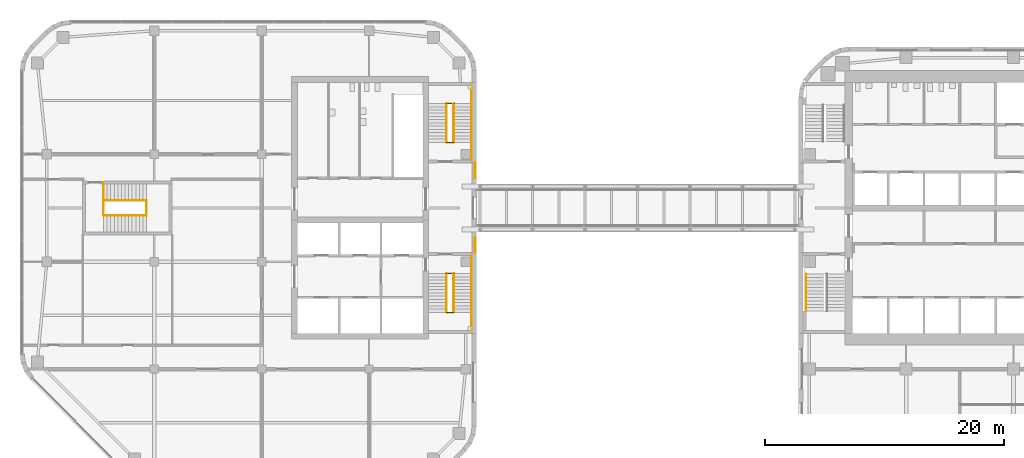
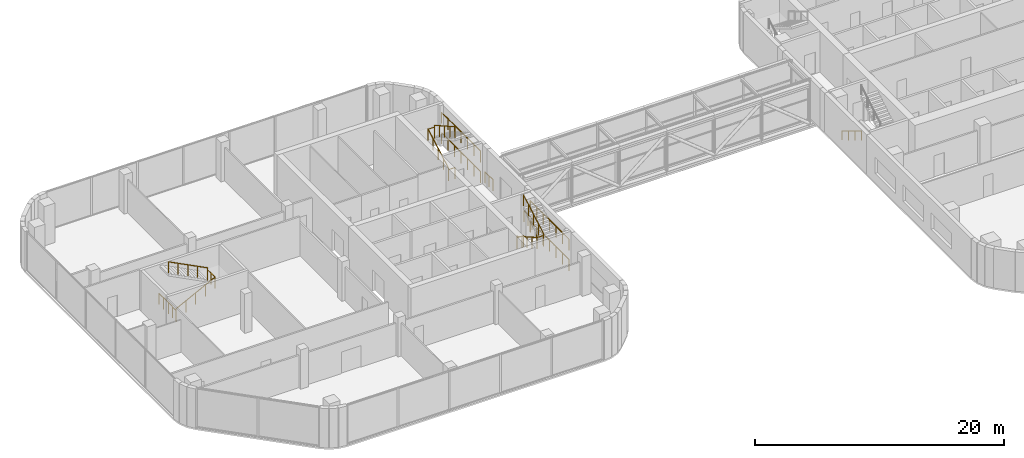
# One storey, part 22 of 24: 20 railings, 1 element without a shape of its own.
"""IFC4 building model written with IfcOpenShell, lengths in metres."""

from ifc_helpers import new_model, si_unit, direction, frame, origin, origin_2d, place, context, subcontext, project, spatial, circle, extrude, material, type_object, element, aggregate, save


model = new_model("IFC4")

# Units and contexts
model_context = context("Model", 3, precision=1e-05, world=origin(), true_north=direction((0.0, 1.0)))
body_context = subcontext(model_context, "Body", "Model", "MODEL_VIEW")
ifc_project = project(units=[si_unit("LENGTHUNIT", "METRE"), si_unit("AREAUNIT", "SQUARE_METRE"), si_unit("VOLUMEUNIT", "CUBIC_METRE"), si_unit("PLANEANGLEUNIT", "RADIAN"), si_unit("MASSUNIT", "GRAM", prefix="KILO")], contexts=[model_context])

# Site, building, storey
site_placement = place(None, origin())
site = spatial("IfcSite", under=ifc_project, at=site_placement, CompositionType="ELEMENT")
building_placement = place(site_placement, origin())
building = spatial("IfcBuilding", under=site, at=building_placement, Name="Cinnabar Reach Civic Tower", CompositionType="ELEMENT")
storey_placement = place(building_placement, frame((0.0, 0.0, 71.0)))
storey = spatial("IfcBuildingStorey", under=building, at=storey_placement, Name="L16", CompositionType="ELEMENT", Elevation=71.0)

# Stair, railing
ifc_material_1 = material(Name="Concrete C40/50", Category="concrete")
stair_type = type_object("IfcStairType", Name="T1 Exit stair, half-turn", PredefinedType="HALF_TURN_STAIR", material=ifc_material_1)
stair_placement = place(storey_placement, origin())
stair = element("IfcStair", 1, at=stair_placement, inside=storey, type_object=stair_type, Name="Stair T1-S1", PredefinedType="HALF_TURN_STAIR")
ifc_material_2 = material(Name="Stainless steel tube", Category="steel")
railing_type_1 = type_object("IfcRailingType", Name="T1 Stair handrail, stainless tube 48", PredefinedType="HANDRAIL", material=ifc_material_2)
railing_1_placement = place(storey_placement, frame((0.6, 25.95, 0.1667)))
railing_1 = element("IfcRailing", 2, at=railing_1_placement, type_object=railing_type_1, Name="T1-S1 handrail 1", PredefinedType="HANDRAIL", context=body_context, shape_type="SweptSolid", body=[
    extrude(circle(Radius=0.024, at=origin_2d()), frame((0.0, 0.0, 0.876), z_axis=(0.0, -0.859296971757, 0.511476992962), x_axis=(1.0, 0.0, 0.0)), (0.0, 0.0, 1.0), 3.5843),
    extrude(circle(Radius=0.021, at=origin_2d()), origin(), (0.0, 0.0, 1.0), 0.852),
    extrude(circle(Radius=0.021, at=origin_2d()), frame((0.0, -1.0267, 0.6111)), (0.0, 0.0, 1.0), 0.852),
    extrude(circle(Radius=0.021, at=origin_2d()), frame((0.0, -2.0533, 1.2222)), (0.0, 0.0, 1.0), 0.852),
    extrude(circle(Radius=0.021, at=origin_2d()), frame((0.0, -3.08, 1.8333)), (0.0, 0.0, 1.0), 0.852),
])
aggregate(stair, [railing_1])

# Railings
ifc_material_3 = material(Name="Stainless steel", Category="steel")
railing_type_2 = type_object("IfcRailingType", Name="T2 Stair guard 1100", PredefinedType="GUARDRAIL", material=ifc_material_3)
for number, where, name in (
    (3, (-27.1, 27.75, 0.0), "Corridor end guard"),
    (4, (-27.1, 34.0, 0.0), "Corridor end guard"),
):
    element("IfcRailing", number, at=place(storey_placement, frame(where)), inside=storey, type_object=railing_type_2, Name=name, PredefinedType="GUARDRAIL", context=body_context, shape_type="SweptSolid", body=[
        extrude(circle(Radius=0.024, at=origin_2d()), frame((0.0, 0.0, 1.076), z_axis=(0.0, 1.0, 0.0), x_axis=(-1.0, 0.0, 0.0)), (0.0, 0.0, 1.0), 1.25),
        extrude(circle(Radius=0.021, at=origin_2d()), origin(), (0.0, 0.0, 1.0), 1.052),
        extrude(circle(Radius=0.021, at=origin_2d()), frame((0.0, 0.625, 0.0)), (0.0, 0.0, 1.0), 1.052),
        extrude(circle(Radius=0.021, at=origin_2d()), frame((0.0, 1.25, 0.0)), (0.0, 0.0, 1.0), 1.052),
    ])
for number, where, name in (
    (5, (-27.4, 21.25, 0.0), "Stair guard 1"),
    (6, (-27.4, 21.25, 2.0), "Stair guard 1"),
):
    element("IfcRailing", number, at=place(storey_placement, frame(where)), inside=storey, type_object=railing_type_2, Name=name, PredefinedType="GUARDRAIL", context=body_context, shape_type="SweptSolid", body=[
        extrude(circle(Radius=0.024, at=origin_2d()), frame((0.0, 0.0, 1.076), z_axis=(0.0, 1.0, 0.0), x_axis=(-1.0, 0.0, 0.0)), (0.0, 0.0, 1.0), 6.25),
        extrude(circle(Radius=0.021, at=origin_2d()), origin(), (0.0, 0.0, 1.0), 1.052),
        extrude(circle(Radius=0.021, at=origin_2d()), frame((0.0, 1.0417, 0.0)), (0.0, 0.0, 1.0), 1.052),
        extrude(circle(Radius=0.021, at=origin_2d()), frame((0.0, 2.0833, 0.0)), (0.0, 0.0, 1.0), 1.052),
        extrude(circle(Radius=0.021, at=origin_2d()), frame((0.0, 3.125, 0.0)), (0.0, 0.0, 1.0), 1.052),
        extrude(circle(Radius=0.021, at=origin_2d()), frame((0.0, 4.1667, 0.0)), (0.0, 0.0, 1.0), 1.052),
        extrude(circle(Radius=0.021, at=origin_2d()), frame((0.0, 5.2083, 0.0)), (0.0, 0.0, 1.0), 1.052),
        extrude(circle(Radius=0.021, at=origin_2d()), frame((0.0, 6.25, 0.0)), (0.0, 0.0, 1.0), 1.052),
    ])
for number, where, name in (
    (7, (-29.5, 26.0, 0.0), "Stair guard 1"),
    (8, (-29.5, 22.75, 2.0), "Stair guard 1"),
):
    element("IfcRailing", number, at=place(storey_placement, frame(where)), inside=storey, type_object=railing_type_2, Name=name, PredefinedType="GUARDRAIL", context=body_context, shape_type="SweptSolid", body=[
        extrude(circle(Radius=0.024, at=origin_2d()), frame((0.0, 0.0, 1.076), z_axis=(1.0, 0.0, 0.0), x_axis=(0.0, 1.0, 0.0)), (0.0, 0.0, 1.0), 0.6),
        extrude(circle(Radius=0.021, at=origin_2d()), origin(), (0.0, 0.0, 1.0), 1.052),
        extrude(circle(Radius=0.021, at=origin_2d()), frame((0.6, 0.0, 0.0)), (0.0, 0.0, 1.0), 1.052),
    ])
railing_2_placement = place(storey_placement, frame((-29.5, 26.0, 0.1538)))
element("IfcRailing", 9, at=railing_2_placement, inside=storey, type_object=railing_type_2, Name="Stair guard 1", PredefinedType="GUARDRAIL", context=body_context, shape_type="SweptSolid", body=[
    extrude(circle(Radius=0.024, at=origin_2d()), frame((0.0, 0.0, 1.076), z_axis=(0.0, -0.869501474428, 0.493930345258), x_axis=(1.0, 0.0, 0.0)), (0.0, 0.0, 1.0), 3.7378),
    extrude(circle(Radius=0.021, at=origin_2d()), origin(), (0.0, 0.0, 1.0), 1.052),
    extrude(circle(Radius=0.021, at=origin_2d()), frame((0.0, -0.8125, 0.4615)), (0.0, 0.0, 1.0), 1.052),
    extrude(circle(Radius=0.021, at=origin_2d()), frame((0.0, -1.625, 0.9231)), (0.0, 0.0, 1.0), 1.052),
    extrude(circle(Radius=0.021, at=origin_2d()), frame((0.0, -2.4375, 1.3846)), (0.0, 0.0, 1.0), 1.052),
    extrude(circle(Radius=0.021, at=origin_2d()), frame((0.0, -3.25, 1.8462)), (0.0, 0.0, 1.0), 1.052),
])
railing_3_placement = place(storey_placement, frame((-28.9, 22.75, 2.1538)))
element("IfcRailing", 10, at=railing_3_placement, inside=storey, type_object=railing_type_2, Name="Stair guard 1", PredefinedType="GUARDRAIL", context=body_context, shape_type="SweptSolid", body=[
    extrude(circle(Radius=0.024, at=origin_2d()), frame((0.0, 0.0, 1.076), z_axis=(0.0, 0.869501474428, 0.493930345258), x_axis=(-1.0, 0.0, 0.0)), (0.0, 0.0, 1.0), 3.7378),
    extrude(circle(Radius=0.021, at=origin_2d()), origin(), (0.0, 0.0, 1.0), 1.052),
    extrude(circle(Radius=0.021, at=origin_2d()), frame((0.0, 0.8125, 0.4615)), (0.0, 0.0, 1.0), 1.052),
    extrude(circle(Radius=0.021, at=origin_2d()), frame((0.0, 1.625, 0.9231)), (0.0, 0.0, 1.0), 1.052),
    extrude(circle(Radius=0.021, at=origin_2d()), frame((0.0, 2.4375, 1.3846)), (0.0, 0.0, 1.0), 1.052),
    extrude(circle(Radius=0.021, at=origin_2d()), frame((0.0, 3.25, 1.8462)), (0.0, 0.0, 1.0), 1.052),
])
for number, where, name in (
    (11, (-27.4, 35.5, 0.0), "Stair guard 2"),
    (12, (-27.4, 35.5, 2.0), "Stair guard 2"),
):
    element("IfcRailing", number, at=place(storey_placement, frame(where)), inside=storey, type_object=railing_type_2, Name=name, PredefinedType="GUARDRAIL", context=body_context, shape_type="SweptSolid", body=[
        extrude(circle(Radius=0.024, at=origin_2d()), frame((0.0, 0.0, 1.076), z_axis=(0.0, 1.0, 0.0), x_axis=(-1.0, 0.0, 0.0)), (0.0, 0.0, 1.0), 6.25),
        extrude(circle(Radius=0.021, at=origin_2d()), origin(), (0.0, 0.0, 1.0), 1.052),
        extrude(circle(Radius=0.021, at=origin_2d()), frame((0.0, 1.0417, 0.0)), (0.0, 0.0, 1.0), 1.052),
        extrude(circle(Radius=0.021, at=origin_2d()), frame((0.0, 2.0833, 0.0)), (0.0, 0.0, 1.0), 1.052),
        extrude(circle(Radius=0.021, at=origin_2d()), frame((0.0, 3.125, 0.0)), (0.0, 0.0, 1.0), 1.052),
        extrude(circle(Radius=0.021, at=origin_2d()), frame((0.0, 4.1667, 0.0)), (0.0, 0.0, 1.0), 1.052),
        extrude(circle(Radius=0.021, at=origin_2d()), frame((0.0, 5.2083, 0.0)), (0.0, 0.0, 1.0), 1.052),
        extrude(circle(Radius=0.021, at=origin_2d()), frame((0.0, 6.25, 0.0)), (0.0, 0.0, 1.0), 1.052),
    ])
for number, where, name in (
    (13, (-29.5, 37.0, 0.0), "Stair guard 2"),
    (14, (-29.5, 40.25, 2.0), "Stair guard 2"),
):
    element("IfcRailing", number, at=place(storey_placement, frame(where)), inside=storey, type_object=railing_type_2, Name=name, PredefinedType="GUARDRAIL", context=body_context, shape_type="SweptSolid", body=[
        extrude(circle(Radius=0.024, at=origin_2d()), frame((0.0, 0.0, 1.076), z_axis=(1.0, 0.0, 0.0), x_axis=(0.0, 1.0, 0.0)), (0.0, 0.0, 1.0), 0.6),
        extrude(circle(Radius=0.021, at=origin_2d()), origin(), (0.0, 0.0, 1.0), 1.052),
        extrude(circle(Radius=0.021, at=origin_2d()), frame((0.6, 0.0, 0.0)), (0.0, 0.0, 1.0), 1.052),
    ])
railing_4_placement = place(storey_placement, frame((-29.5, 37.0, 0.1538)))
element("IfcRailing", 15, at=railing_4_placement, inside=storey, type_object=railing_type_2, Name="Stair guard 2", PredefinedType="GUARDRAIL", context=body_context, shape_type="SweptSolid", body=[
    extrude(circle(Radius=0.024, at=origin_2d()), frame((0.0, 0.0, 1.076), z_axis=(0.0, 0.869501474428, 0.493930345258), x_axis=(-1.0, 0.0, 0.0)), (0.0, 0.0, 1.0), 3.7378),
    extrude(circle(Radius=0.021, at=origin_2d()), origin(), (0.0, 0.0, 1.0), 1.052),
    extrude(circle(Radius=0.021, at=origin_2d()), frame((0.0, 0.8125, 0.4615)), (0.0, 0.0, 1.0), 1.052),
    extrude(circle(Radius=0.021, at=origin_2d()), frame((0.0, 1.625, 0.9231)), (0.0, 0.0, 1.0), 1.052),
    extrude(circle(Radius=0.021, at=origin_2d()), frame((0.0, 2.4375, 1.3846)), (0.0, 0.0, 1.0), 1.052),
    extrude(circle(Radius=0.021, at=origin_2d()), frame((0.0, 3.25, 1.8462)), (0.0, 0.0, 1.0), 1.052),
])
railing_5_placement = place(storey_placement, frame((-28.9, 40.25, 2.1538)))
element("IfcRailing", 16, at=railing_5_placement, inside=storey, type_object=railing_type_2, Name="Stair guard 2", PredefinedType="GUARDRAIL", context=body_context, shape_type="SweptSolid", body=[
    extrude(circle(Radius=0.024, at=origin_2d()), frame((0.0, 0.0, 1.076), z_axis=(0.0, -0.869501474428, 0.493930345258), x_axis=(1.0, 0.0, 0.0)), (0.0, 0.0, 1.0), 3.7378),
    extrude(circle(Radius=0.021, at=origin_2d()), origin(), (0.0, 0.0, 1.0), 1.052),
    extrude(circle(Radius=0.021, at=origin_2d()), frame((0.0, -0.8125, 0.4615)), (0.0, 0.0, 1.0), 1.052),
    extrude(circle(Radius=0.021, at=origin_2d()), frame((0.0, -1.625, 0.9231)), (0.0, 0.0, 1.0), 1.052),
    extrude(circle(Radius=0.021, at=origin_2d()), frame((0.0, -2.4375, 1.3846)), (0.0, 0.0, 1.0), 1.052),
    extrude(circle(Radius=0.021, at=origin_2d()), frame((0.0, -3.25, 1.8462)), (0.0, 0.0, 1.0), 1.052),
])
railing_6_placement = place(storey_placement, frame((-58.25, 30.875, 0.0)))
element("IfcRailing", 17, at=railing_6_placement, inside=storey, type_object=railing_type_2, Name="Stair guard 3", PredefinedType="GUARDRAIL", context=body_context, shape_type="SweptSolid", body=[
    extrude(circle(Radius=0.024, at=origin_2d()), frame((0.0, 0.0, 1.076), z_axis=(0.0, 1.0, 0.0), x_axis=(-1.0, 0.0, 0.0)), (0.0, 0.0, 1.0), 1.25),
    extrude(circle(Radius=0.021, at=origin_2d()), origin(), (0.0, 0.0, 1.0), 1.052),
    extrude(circle(Radius=0.021, at=origin_2d()), frame((0.0, 0.625, 0.0)), (0.0, 0.0, 1.0), 1.052),
    extrude(circle(Radius=0.021, at=origin_2d()), frame((0.0, 1.25, 0.0)), (0.0, 0.0, 1.0), 1.052),
])
railing_7_placement = place(storey_placement, frame((-58.25, 32.125, 0.0)))
element("IfcRailing", 18, at=railing_7_placement, inside=storey, type_object=railing_type_2, Name="Stair guard 3", PredefinedType="GUARDRAIL", context=body_context, shape_type="SweptSolid", body=[
    extrude(circle(Radius=0.024, at=origin_2d()), frame((0.0, 0.0, 1.076), z_axis=(0.0, 1.0, 0.0), x_axis=(-1.0, 0.0, 0.0)), (0.0, 0.0, 1.0), 1.5),
    extrude(circle(Radius=0.021, at=origin_2d()), origin(), (0.0, 0.0, 1.0), 1.052),
    extrude(circle(Radius=0.021, at=origin_2d()), frame((0.0, 0.75, 0.0)), (0.0, 0.0, 1.0), 1.052),
    extrude(circle(Radius=0.021, at=origin_2d()), frame((0.0, 1.5, 0.0)), (0.0, 0.0, 1.0), 1.052),
])
railing_8_placement = place(storey_placement, frame((-54.65, 30.875, 2.0)))
element("IfcRailing", 19, at=railing_8_placement, inside=storey, type_object=railing_type_2, Name="Stair guard 3", PredefinedType="GUARDRAIL", context=body_context, shape_type="SweptSolid", body=[
    extrude(circle(Radius=0.024, at=origin_2d()), frame((0.0, 0.0, 1.076), z_axis=(0.0, 1.0, 0.0), x_axis=(-1.0, 0.0, 0.0)), (0.0, 0.0, 1.0), 1.25),
    extrude(circle(Radius=0.021, at=origin_2d()), origin(), (0.0, 0.0, 1.0), 1.052),
    extrude(circle(Radius=0.021, at=origin_2d()), frame((0.0, 0.625, 0.0)), (0.0, 0.0, 1.0), 1.052),
    extrude(circle(Radius=0.021, at=origin_2d()), frame((0.0, 1.25, 0.0)), (0.0, 0.0, 1.0), 1.052),
])
railing_9_placement = place(storey_placement, frame((-58.25, 30.875, 0.1538)))
element("IfcRailing", 20, at=railing_9_placement, inside=storey, type_object=railing_type_2, Name="Stair guard 3", PredefinedType="GUARDRAIL", context=body_context, shape_type="SweptSolid", body=[
    extrude(circle(Radius=0.024, at=origin_2d()), frame((0.0, 0.0, 1.076), z_axis=(0.889812830738, 0.0, 0.45632568003), x_axis=(0.0, 1.0, 0.0)), (0.0, 0.0, 1.0), 4.0458),
    extrude(circle(Radius=0.021, at=origin_2d()), origin(), (0.0, 0.0, 1.0), 1.052),
    extrude(circle(Radius=0.021, at=origin_2d()), frame((0.9, 0.0, 0.4615)), (0.0, 0.0, 1.0), 1.052),
    extrude(circle(Radius=0.021, at=origin_2d()), frame((1.8, 0.0, 0.9231)), (0.0, 0.0, 1.0), 1.052),
    extrude(circle(Radius=0.021, at=origin_2d()), frame((2.7, 0.0, 1.3846)), (0.0, 0.0, 1.0), 1.052),
    extrude(circle(Radius=0.021, at=origin_2d()), frame((3.6, 0.0, 1.8462)), (0.0, 0.0, 1.0), 1.052),
])
railing_10_placement = place(storey_placement, frame((-54.65, 32.125, 2.1538)))
element("IfcRailing", 21, at=railing_10_placement, inside=storey, type_object=railing_type_2, Name="Stair guard 3", PredefinedType="GUARDRAIL", context=body_context, shape_type="SweptSolid", body=[
    extrude(circle(Radius=0.024, at=origin_2d()), frame((0.0, 0.0, 1.076), z_axis=(-0.889812830738, 0.0, 0.45632568003), x_axis=(0.0, -1.0, 0.0)), (0.0, 0.0, 1.0), 4.0458),
    extrude(circle(Radius=0.021, at=origin_2d()), origin(), (0.0, 0.0, 1.0), 1.052),
    extrude(circle(Radius=0.021, at=origin_2d()), frame((-0.9, 0.0, 0.4615)), (0.0, 0.0, 1.0), 1.052),
    extrude(circle(Radius=0.021, at=origin_2d()), frame((-1.8, 0.0, 0.9231)), (0.0, 0.0, 1.0), 1.052),
    extrude(circle(Radius=0.021, at=origin_2d()), frame((-2.7, 0.0, 1.3846)), (0.0, 0.0, 1.0), 1.052),
    extrude(circle(Radius=0.021, at=origin_2d()), frame((-3.6, 0.0, 1.8462)), (0.0, 0.0, 1.0), 1.052),
])

save(model, "model.ifc")
